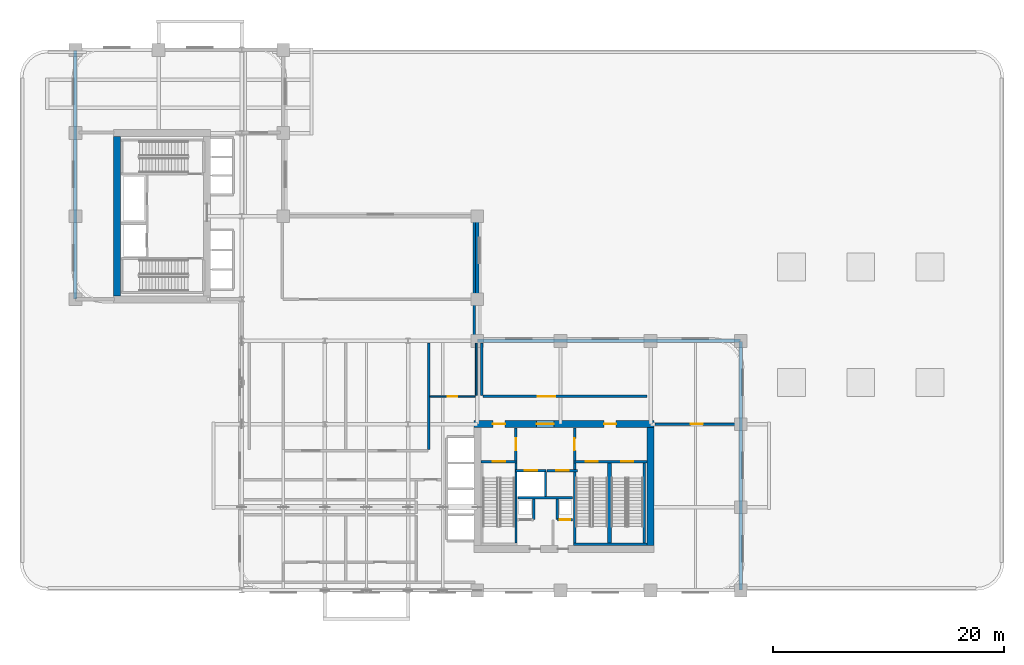
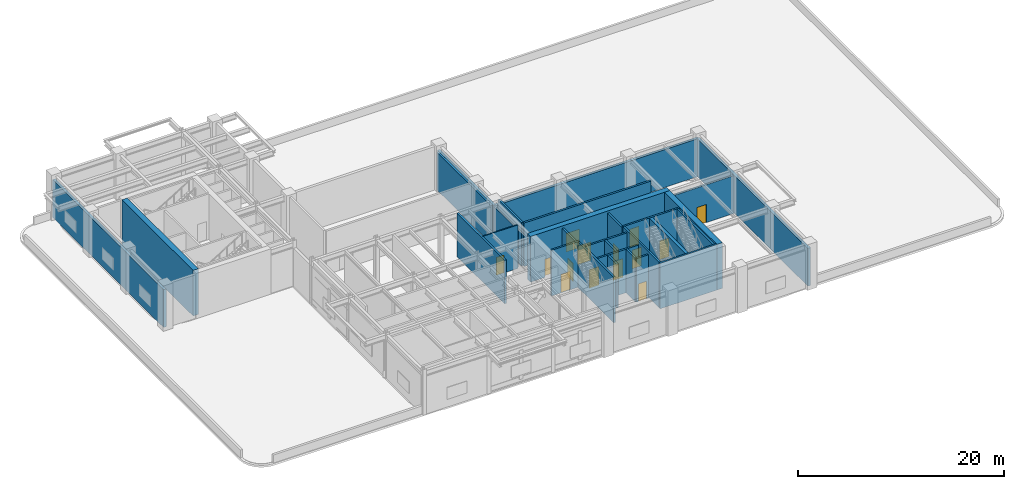
# One storey, part 7 of 14: 30 walls, 14 doors, 14 openings.
"""IFC4 building model written with IfcOpenShell, lengths in metres."""

from ifc_helpers import new_model, si_unit, derived_unit, direction, frame, frame_2d, origin, place, context, subcontext, project, spatial, rectangle, extrude, source, transform, mapped, material, layer, layer_set, type_object, type_shapes, element, fill, save


model = new_model("IFC4")

# Units and contexts
model_context = context("Model", 3, precision=1e-05, world=origin(), true_north=direction((0.0, 1.0)))
body_context = subcontext(model_context, "Body", "Model", "MODEL_VIEW")
ifc_project = project(units=[si_unit("LENGTHUNIT", "METRE"), si_unit("AREAUNIT", "SQUARE_METRE"), si_unit("VOLUMEUNIT", "CUBIC_METRE"), si_unit("PLANEANGLEUNIT", "RADIAN"), si_unit("MASSUNIT", "GRAM", prefix="KILO"), si_unit("THERMODYNAMICTEMPERATUREUNIT", "KELVIN"), si_unit("POWERUNIT", "WATT"), derived_unit("THERMALTRANSMITTANCEUNIT", [(si_unit("POWERUNIT", "WATT"), 1), (si_unit("AREAUNIT", "SQUARE_METRE"), -1), (si_unit("THERMODYNAMICTEMPERATUREUNIT", "KELVIN"), -1)])], contexts=[model_context])

# Site, building, storey
site_placement = place(None, origin())
site = spatial("IfcSite", under=ifc_project, at=site_placement, CompositionType="ELEMENT")
building_placement = place(site_placement, origin())
building = spatial("IfcBuilding", under=site, at=building_placement, Name="Zahravan Archway Hotel and Residences", CompositionType="ELEMENT")
storey_placement = place(building_placement, frame((0.0, 0.0, 27.0)))
storey = spatial("IfcBuildingStorey", under=building, at=storey_placement, Name="L05", CompositionType="ELEMENT", Elevation=27.0)

# Wall, openings, doors
ifc_material_1 = material(Name="Concrete C70/85", Category="concrete")
ifc_layer_1 = layer(ifc_material_1, 0.60009765625, Name="Concrete C70/85", Category="concrete")
ifc_layer_set_1 = layer_set([ifc_layer_1], Name="Concrete C70/85")
wall_type_1 = type_object("IfcWallType", Name="CW-CORE-600", PredefinedType="SHEAR", material=ifc_layer_set_1)
wall_1_placement = place(storey_placement, frame((34.5, 14.39990234375, 0.0), z_axis=(0.0, 0.0, 1.0), x_axis=(1.0, 0.0, 0.0)))
wall_1 = element("IfcWall", 1, at=wall_1_placement, inside=storey, type_object=wall_type_1, Name="L05 Core A Shear N Wall 600 mm", PredefinedType="SHEAR", context=body_context, shape_type="SweptSolid", body=[
    extrude(rectangle(XDim=15.60009765625, YDim=0.60009765625, at=frame_2d((7.800048828125, 0.0))), origin(), (0.0, 0.0, 1.0), 5.39990234375),
])
opening_1_placement = place(wall_1_placement, frame((5.429931640625, 0.0, 0.0)))
opening_1 = element("IfcOpeningElement", 2, at=opening_1_placement, cuts=wall_1, Name="Opening FD-L1", PredefinedType="OPENING", context=body_context, shape_type="SweptSolid", body=[
    extrude(rectangle(XDim=1.5, YDim=2.199951171875, at=frame_2d((0.75, 1.10009765625))), frame((0.0, 0.31005859375, 0.0), z_axis=(0.0, -1.0, 0.0), x_axis=(1.0, 0.0, 0.0)), (0.0, 0.0, 1.0), 0.6201171875),
])
opening_2_placement = place(wall_1_placement, frame((1.64501953125, 0.0, 0.0)))
opening_2 = element("IfcOpeningElement", 3, at=opening_2_placement, cuts=wall_1, Name="Opening FD-L2", PredefinedType="OPENING", context=body_context, shape_type="SweptSolid", body=[
    extrude(rectangle(XDim=1.050048828125, YDim=2.14990234375, at=frame_2d((0.52490234375, 1.074951171875))), frame((0.0, 0.31005859375, 0.0), z_axis=(0.0, -1.0, 0.0), x_axis=(1.0, 0.0, 0.0)), (0.0, 0.0, 1.0), 0.6201171875),
])
opening_3_placement = place(wall_1_placement, frame((11.27490234375, 0.0, 0.0)))
opening_3 = element("IfcOpeningElement", 4, at=opening_3_placement, cuts=wall_1, Name="Opening FD-L2", PredefinedType="OPENING", context=body_context, shape_type="SweptSolid", body=[
    extrude(rectangle(XDim=1.050048828125, YDim=2.14990234375, at=frame_2d((0.52490234375, 1.074951171875))), frame((0.0, 0.31005859375, 0.0), z_axis=(0.0, -1.0, 0.0), x_axis=(1.0, 0.0, 0.0)), (0.0, 0.0, 1.0), 0.6201171875),
])
ifc_material_2 = material(Name="Fire-Rated Painted Steel", Category="steel")
door_type_1 = type_object("IfcDoorType", Name="FD-LOBBY-1100", OperationType="NOTDEFINED", PredefinedType="DOOR", material=ifc_material_2)
shared_shape_1 = source(origin(), body_context, "Body", "SweptSolid", [
    extrude(rectangle(XDim=1.050048828125, YDim=2.14990234375, at=frame_2d((0.52490234375, 1.074951171875))), frame((0.0, 0.02490234375, 0.0), z_axis=(0.0, -1.0, 0.0), x_axis=(1.0, 0.0, 0.0)), (0.0, 0.0, 1.0), 0.050048828125),
])
type_shapes(door_type_1, [shared_shape_1])
door_1_placement = place(opening_2_placement, origin())
door_1 = element("IfcDoor", 5, at=door_1_placement, inside=storey, type_object=door_type_1, Name="L05 Core A West Stair Lobby Door", OperationType="SINGLE_SWING_RIGHT", OverallHeight=2.14990234375, OverallWidth=1.050048828125, PredefinedType="DOOR", context=body_context, shape_type="MappedRepresentation", body=[
    mapped(shared_shape_1, transform((0.0, 0.0, 0.0), scale=1.0)),
])
fill(opening_2, door_1)
door_2_placement = place(opening_3_placement, origin())
door_2 = element("IfcDoor", 6, at=door_2_placement, inside=storey, type_object=door_type_1, Name="L05 Core A East Stair Lobby Door", OperationType="SINGLE_SWING_LEFT", OverallHeight=2.14990234375, OverallWidth=1.050048828125, PredefinedType="DOOR", context=body_context, shape_type="MappedRepresentation", body=[
    mapped(shared_shape_1, transform((0.0, 0.0, 0.0), scale=1.0)),
])
fill(opening_3, door_2)
door_type_2 = type_object("IfcDoorType", Name="FD-LOBBY-1500", OperationType="DOUBLE_DOOR_SINGLE_SWING", PredefinedType="DOOR", material=ifc_material_2)
shared_shape_2 = source(origin(), body_context, "Body", "SweptSolid", [
    extrude(rectangle(XDim=1.5, YDim=2.199951171875, at=frame_2d((0.75, 1.10009765625))), frame((0.0, 0.02490234375, 0.0), z_axis=(0.0, -1.0, 0.0), x_axis=(1.0, 0.0, 0.0)), (0.0, 0.0, 1.0), 0.050048828125),
])
type_shapes(door_type_2, [shared_shape_2])
door_3_placement = place(opening_1_placement, origin())
door_3 = element("IfcDoor", 7, at=door_3_placement, inside=storey, type_object=door_type_2, Name="L05 Core A FSAE Lobby Main Door", OperationType="DOUBLE_DOOR_SINGLE_SWING", OverallHeight=2.199951171875, OverallWidth=1.5, PredefinedType="DOOR", context=body_context, shape_type="MappedRepresentation", body=[
    mapped(shared_shape_2, transform((0.0, 0.0, 0.0), scale=1.0)),
])
fill(opening_1, door_3)

# Walls
wall_2_placement = place(storey_placement, frame((49.800048828125, 3.89990234375, 0.0), z_axis=(0.0, 0.0, 1.0), x_axis=(0.0, 1.0, 0.0)))
element("IfcWall", 8, at=wall_2_placement, inside=storey, type_object=wall_type_1, Name="L05 Core A Shear E Wall 600 mm", PredefinedType="SHEAR", context=body_context, shape_type="SweptSolid", body=[
    extrude(rectangle(XDim=10.2001953125, YDim=0.60009765625, at=frame_2d((5.10009765625, 0.0))), origin(), (0.0, 0.0, 1.0), 5.39990234375),
])
wall_3_placement = place(storey_placement, frame((3.60009765625, 25.5, 0.0), z_axis=(0.0, 0.0, 1.0), x_axis=(0.0, 1.0, 0.0)))
element("IfcWall", 9, at=wall_3_placement, inside=storey, type_object=wall_type_1, Name="L05 Core B Shear W Wall 600 mm", PredefinedType="SHEAR", context=body_context, shape_type="SweptSolid", body=[
    extrude(rectangle(XDim=13.800048828125, YDim=0.60009765625, at=frame_2d((6.89990234375, 0.0))), origin(), (0.0, 0.0, 1.0), 5.39990234375),
])
ifc_material_3 = material(Name="Acoustic Louvred Sandstone Backup Wall", Category="masonry")
ifc_layer_2 = layer(ifc_material_3, 0.300048828125, Name="Acoustic Louvred Sandstone Backup Wall", Category="masonry")
ifc_layer_set_2 = layer_set([ifc_layer_2], Name="Acoustic Louvred Sandstone Backup Wall")
wall_type_2 = type_object("IfcWallType", Name="EW-REF-300", PredefinedType="SOLIDWALL", material=ifc_layer_set_2)
wall_4_placement = place(storey_placement, frame((57.60009765625, 0.050048828125, 0.0), z_axis=(0.0, 0.0, 1.0), x_axis=(0.0, 1.0, 0.0)))
element("IfcWall", 10, at=wall_4_placement, inside=storey, type_object=wall_type_2, Name="L05 Exterior Sandstone Wall WA-E", PredefinedType="SOLIDWALL", context=body_context, shape_type="SweptSolid", body=[
    extrude(rectangle(XDim=21.5, YDim=0.300048828125, at=frame_2d((10.75, 0.0))), origin(), (0.0, 0.0, 1.0), 4.485107421875),
])
wall_5_placement = place(storey_placement, frame((34.800048828125, 21.60009765625, 0.0), z_axis=(0.0, 0.0, 1.0), x_axis=(1.0, 0.0, 0.0)))
element("IfcWall", 11, at=wall_5_placement, inside=storey, type_object=wall_type_2, Name="L05 Exterior Sandstone Wall WA-NE", PredefinedType="SOLIDWALL", context=body_context, shape_type="SweptSolid", body=[
    extrude(rectangle(XDim=22.800048828125, YDim=0.300048828125, at=frame_2d((11.39990234375, 0.0))), origin(), (0.0, 0.0, 1.0), 4.485107421875),
])
wall_6_placement = place(storey_placement, frame((0.0, 25.25, 0.0), z_axis=(0.0, 0.0, 1.0), x_axis=(0.0, 1.0, 0.0)))
element("IfcWall", 12, at=wall_6_placement, inside=storey, type_object=wall_type_2, Name="L05 Exterior Sandstone Wall WB-W", PredefinedType="SOLIDWALL", context=body_context, shape_type="SweptSolid", body=[
    extrude(rectangle(XDim=21.5, YDim=0.300048828125, at=frame_2d((10.75, 0.0))), origin(), (0.0, 0.0, 1.0), 4.485107421875),
])
wall_7_placement = place(storey_placement, frame((34.800048828125, 21.64990234375, 0.0), z_axis=(0.0, 0.0, 1.0), x_axis=(0.0, 1.0, 0.0)))
element("IfcWall", 13, at=wall_7_placement, inside=storey, type_object=wall_type_2, Name="L05 Exterior Sandstone Wall HNG-E", PredefinedType="SOLIDWALL", context=body_context, shape_type="SweptSolid", body=[
    extrude(rectangle(XDim=10.75, YDim=0.300048828125, at=frame_2d((5.375, 0.0))), origin(), (0.0, 0.0, 1.0), 4.485107421875),
])

# Wall, opening, door
ifc_material_4 = material(Name="Fire-Rated Gypsum & Concrete Block", Category="concrete")
ifc_layer_3 = layer(ifc_material_4, 0.219970703125, Name="Fire-Rated Gypsum & Concrete Block", Category="concrete")
ifc_layer_set_3 = layer_set([ifc_layer_3], Name="Fire-Rated Gypsum & Concrete Block")
wall_type_3 = type_object("IfcWallType", Name="PW-COMP-220", PredefinedType="PARTITIONING", material=ifc_layer_set_3)
wall_8_placement = place(storey_placement, frame((38.139892578125, 11.219970703125, 0.0), z_axis=(0.0, 0.0, 1.0), x_axis=(0.0, 1.0, 0.0)))
wall_8 = element("IfcWall", 14, at=wall_8_placement, inside=storey, type_object=wall_type_3, Name="L05 Partition CA-LOBW", PredefinedType="PARTITIONING", context=body_context, shape_type="SweptSolid", body=[
    extrude(rectangle(XDim=2.860107421875, YDim=0.219970703125, at=frame_2d((1.43017578125, 0.0))), origin(), (0.0, 0.0, 1.0), 5.14990234375),
])
opening_4_placement = place(wall_8_placement, frame((0.905029296875, 0.0, 0.0)))
opening_4 = element("IfcOpeningElement", 15, at=opening_4_placement, cuts=wall_8, Name="Opening FD-L2", PredefinedType="OPENING", context=body_context, shape_type="SweptSolid", body=[
    extrude(rectangle(XDim=1.050048828125, YDim=2.14990234375, at=frame_2d((0.52490234375, 1.074951171875))), frame((0.0, 0.1201171875, 0.0), z_axis=(0.0, -1.0, 0.0), x_axis=(1.0, 0.0, 0.0)), (0.0, 0.0, 1.0), 0.239990234375),
])
door_4_placement = place(opening_4_placement, origin())
door_4 = element("IfcDoor", 16, at=door_4_placement, inside=storey, type_object=door_type_1, Name="L05 Core A West Stair to FSAE Lobby Door", OperationType="SINGLE_SWING_RIGHT", OverallHeight=2.14990234375, OverallWidth=1.050048828125, PredefinedType="DOOR", context=body_context, shape_type="MappedRepresentation", body=[
    mapped(shared_shape_1, transform((0.0, 0.0, 0.0), scale=1.0)),
])
fill(opening_4, door_4)

wall_9_placement = place(storey_placement, frame((43.219970703125, 11.219970703125, 0.0), z_axis=(0.0, 0.0, 1.0), x_axis=(0.0, 1.0, 0.0)))
wall_9 = element("IfcWall", 17, at=wall_9_placement, inside=storey, type_object=wall_type_3, Name="L05 Partition CA-LOBE", PredefinedType="PARTITIONING", context=body_context, shape_type="SweptSolid", body=[
    extrude(rectangle(XDim=2.860107421875, YDim=0.219970703125, at=frame_2d((1.43017578125, 0.0))), origin(), (0.0, 0.0, 1.0), 5.14990234375),
])
opening_5_placement = place(wall_9_placement, frame((0.905029296875, 0.0, 0.0)))
opening_5 = element("IfcOpeningElement", 18, at=opening_5_placement, cuts=wall_9, Name="Opening FD-L2", PredefinedType="OPENING", context=body_context, shape_type="SweptSolid", body=[
    extrude(rectangle(XDim=1.050048828125, YDim=2.14990234375, at=frame_2d((0.52490234375, 1.074951171875))), frame((0.0, 0.1201171875, 0.0), z_axis=(0.0, -1.0, 0.0), x_axis=(1.0, 0.0, 0.0)), (0.0, 0.0, 1.0), 0.239990234375),
])
door_5_placement = place(opening_5_placement, origin())
door_5 = element("IfcDoor", 19, at=door_5_placement, inside=storey, type_object=door_type_1, Name="L05 Core A East Stair to FSAE Lobby Door", OperationType="SINGLE_SWING_LEFT", OverallHeight=2.14990234375, OverallWidth=1.050048828125, PredefinedType="DOOR", context=body_context, shape_type="MappedRepresentation", body=[
    mapped(shared_shape_1, transform((0.0, 0.0, 0.0), scale=1.0)),
])
fill(opening_5, door_5)

# Wall
wall_10_placement = place(storey_placement, frame((30.60009765625, 12.18994140625, 0.0), z_axis=(0.0, 0.0, 1.0), x_axis=(0.0, 1.0, 0.0)))
element("IfcWall", 20, at=wall_10_placement, inside=storey, type_object=wall_type_3, Name="L05 Partition L05-RWE", PredefinedType="PARTITIONING", context=body_context, shape_type="SweptSolid", body=[
    extrude(rectangle(XDim=9.219970703125, YDim=0.219970703125, at=frame_2d((4.60986328125, 0.0))), origin(), (0.0, 0.0, 1.0), 5.14990234375),
])

# Wall, opening, door
wall_11_placement = place(storey_placement, frame((50.18994140625, 14.39990234375, 0.0), z_axis=(0.0, 0.0, 1.0), x_axis=(1.0, 0.0, 0.0)))
wall_11 = element("IfcWall", 21, at=wall_11_placement, inside=storey, type_object=wall_type_3, Name="L05 Partition L05-REA", PredefinedType="PARTITIONING", context=body_context, shape_type="SweptSolid", body=[
    extrude(rectangle(XDim=7.219970703125, YDim=0.219970703125, at=frame_2d((3.60986328125, 0.0))), origin(), (0.0, 0.0, 1.0), 4.485107421875),
])
opening_6_placement = place(wall_11_placement, frame((3.0849609375, 0.0, 0.0)))
opening_6 = element("IfcOpeningElement", 22, at=opening_6_placement, cuts=wall_11, Name="Opening FD-L2", PredefinedType="OPENING", context=body_context, shape_type="SweptSolid", body=[
    extrude(rectangle(XDim=1.050048828125, YDim=2.14990234375, at=frame_2d((0.52490234375, 1.074951171875))), frame((0.0, 0.1201171875, 0.0), z_axis=(0.0, -1.0, 0.0), x_axis=(1.0, 0.0, 0.0)), (0.0, 0.0, 1.0), 0.239990234375),
])
door_6_placement = place(opening_6_placement, origin())
door_6 = element("IfcDoor", 23, at=door_6_placement, inside=storey, type_object=door_type_1, Name="L05 East Smoke Extract Plant Door", OperationType="SINGLE_SWING_LEFT", OverallHeight=2.14990234375, OverallWidth=1.050048828125, PredefinedType="DOOR", context=body_context, shape_type="MappedRepresentation", body=[
    mapped(shared_shape_1, transform((0.0, 0.0, 0.0), scale=1.0)),
])
fill(opening_6, door_6)

wall_12_placement = place(storey_placement, frame((35.2900390625, 16.800048828125, 0.0), z_axis=(0.0, 0.0, 1.0), x_axis=(1.0, 0.0, 0.0)))
wall_12 = element("IfcWall", 24, at=wall_12_placement, inside=storey, type_object=wall_type_3, Name="L05 Partition L05-RNES", PredefinedType="PARTITIONING", context=body_context, shape_type="SweptSolid", body=[
    extrude(rectangle(XDim=14.219970703125, YDim=0.219970703125, at=frame_2d((7.10986328125, 0.0))), origin(), (0.0, 0.0, 1.0), 5.14990234375),
])
opening_7_placement = place(wall_12_placement, frame((4.760009765625, 0.0, 0.0)))
opening_7 = element("IfcOpeningElement", 25, at=opening_7_placement, cuts=wall_12, Name="Opening FD-L1", PredefinedType="OPENING", context=body_context, shape_type="SweptSolid", body=[
    extrude(rectangle(XDim=1.5, YDim=2.199951171875, at=frame_2d((0.75, 1.10009765625))), frame((0.0, 0.1201171875, 0.0), z_axis=(0.0, -1.0, 0.0), x_axis=(1.0, 0.0, 0.0)), (0.0, 0.0, 1.0), 0.239990234375),
])
door_7_placement = place(opening_7_placement, origin())
door_7 = element("IfcDoor", 26, at=door_7_placement, inside=storey, type_object=door_type_2, Name="L05 North-East Protected Refuge Door", OperationType="DOUBLE_DOOR_SINGLE_SWING", OverallHeight=2.199951171875, OverallWidth=1.5, PredefinedType="DOOR", context=body_context, shape_type="MappedRepresentation", body=[
    mapped(shared_shape_2, transform((0.0, 0.0, 0.0), scale=1.0)),
])
fill(opening_7, door_7)

# Walls
wall_13_placement = place(storey_placement, frame((35.199951171875, 16.889892578125, 0.0), z_axis=(0.0, 0.0, 1.0), x_axis=(0.0, 1.0, 0.0)))
element("IfcWall", 27, at=wall_13_placement, inside=storey, type_object=wall_type_3, Name="L05 Partition L05-RNEW", PredefinedType="PARTITIONING", context=body_context, shape_type="SweptSolid", body=[
    extrude(rectangle(XDim=4.52001953125, YDim=0.219970703125, at=frame_2d((2.260009765625, 0.0))), origin(), (0.0, 0.0, 1.0), 5.14990234375),
])
wall_14_placement = place(storey_placement, frame((34.550048828125, 21.68994140625, 0.0), z_axis=(0.0, 0.0, 1.0), x_axis=(0.0, 1.0, 0.0)))
element("IfcWall", 28, at=wall_14_placement, inside=storey, type_object=wall_type_3, Name="L05 Partition L05-RWBE", PredefinedType="PARTITIONING", context=body_context, shape_type="SweptSolid", body=[
    extrude(rectangle(XDim=10.469970703125, YDim=0.219970703125, at=frame_2d((5.23486328125, 0.0))), origin(), (0.0, 0.0, 1.0), 4.485107421875),
])
ifc_layer_4 = layer(ifc_material_4, 0.199951171875, Name="Fire-Rated Gypsum & Concrete Block", Category="concrete")
ifc_layer_set_4 = layer_set([ifc_layer_4], Name="Fire-Rated Gypsum & Concrete Block")
wall_type_4 = type_object("IfcWallType", Name="PW-SHAFT-200", PredefinedType="PARTITIONING", material=ifc_layer_set_4)
wall_15_placement = place(storey_placement, frame((38.300048828125, 8.030029296875, 0.0), z_axis=(0.0, 0.0, 1.0), x_axis=(1.0, 0.0, 0.0)))
element("IfcWall", 29, at=wall_15_placement, inside=storey, type_object=wall_type_4, Name="L05 Partition CA-FLS", PredefinedType="PARTITIONING", context=body_context, shape_type="SweptSolid", body=[
    extrude(rectangle(XDim=4.739990234375, YDim=0.199951171875, at=frame_2d((2.3701171875, 0.0))), origin(), (0.0, 0.0, 1.0), 5.14990234375),
])
wall_16_placement = place(storey_placement, frame((40.699951171875, 8.1201171875, 0.0), z_axis=(0.0, 0.0, 1.0), x_axis=(0.0, 1.0, 0.0)))
element("IfcWall", 30, at=wall_16_placement, inside=storey, type_object=wall_type_4, Name="L05 Partition CA-FLM", PredefinedType="PARTITIONING", context=body_context, shape_type="SweptSolid", body=[
    extrude(rectangle(XDim=2.179931640625, YDim=0.199951171875, at=frame_2d((1.08984375, 0.0))), origin(), (0.0, 0.0, 1.0), 5.14990234375),
])
wall_17_placement = place(storey_placement, frame((39.679931640625, 6.1298828125, 0.0), z_axis=(0.0, 0.0, 1.0), x_axis=(0.0, 1.0, 0.0)))
element("IfcWall", 31, at=wall_17_placement, inside=storey, type_object=wall_type_4, Name="L05 Partition CA-SMKE", PredefinedType="PARTITIONING", context=body_context, shape_type="SweptSolid", body=[
    extrude(rectangle(XDim=1.7900390625, YDim=0.199951171875, at=frame_2d((0.89501953125, 0.0))), origin(), (0.0, 0.0, 1.0), 5.14990234375),
])

# Wall, opening, door
wall_18_placement = place(storey_placement, frame((41.72998046875, 6.1201171875, 0.0), z_axis=(0.0, 0.0, 1.0), x_axis=(1.0, 0.0, 0.0)))
wall_18 = element("IfcWall", 32, at=wall_18_placement, inside=storey, type_object=wall_type_4, Name="L05 Partition CA-MEPS", PredefinedType="PARTITIONING", context=body_context, shape_type="SweptSolid", body=[
    extrude(rectangle(XDim=1.320068359375, YDim=0.199951171875, at=frame_2d((0.66015625, 0.0))), origin(), (0.0, 0.0, 1.0), 5.14990234375),
])
opening_8_placement = place(wall_18_placement, frame((0.219970703125, 0.0, 0.0)))
opening_8 = element("IfcOpeningElement", 33, at=opening_8_placement, cuts=wall_18, Name="Opening FD-R1", PredefinedType="OPENING", context=body_context, shape_type="SweptSolid", body=[
    extrude(rectangle(XDim=0.89990234375, YDim=2.10009765625, at=frame_2d((0.449951171875, 1.050048828125))), frame((0.0, 0.10986328125, 0.0), z_axis=(0.0, -1.0, 0.0), x_axis=(1.0, 0.0, 0.0)), (0.0, 0.0, 1.0), 0.219970703125),
])
door_type_3 = type_object("IfcDoorType", Name="FD-RISER-900", OperationType="NOTDEFINED", PredefinedType="DOOR", material=ifc_material_2)
shared_shape_3 = source(origin(), body_context, "Body", "SweptSolid", [
    extrude(rectangle(XDim=0.89990234375, YDim=2.10009765625, at=frame_2d((0.449951171875, 1.050048828125))), frame((0.0, 0.02490234375, 0.0), z_axis=(0.0, -1.0, 0.0), x_axis=(1.0, 0.0, 0.0)), (0.0, 0.0, 1.0), 0.050048828125),
])
type_shapes(door_type_3, [shared_shape_3])
door_8_placement = place(opening_8_placement, origin())
door_8 = element("IfcDoor", 34, at=door_8_placement, inside=storey, type_object=door_type_3, Name="L05 MEP Riser Access Door", OperationType="SINGLE_SWING_LEFT", OverallHeight=2.10009765625, OverallWidth=0.89990234375, PredefinedType="DOOR", context=body_context, shape_type="MappedRepresentation", body=[
    mapped(shared_shape_3, transform((0.0, 0.0, 0.0), scale=1.0)),
])
fill(opening_8, door_8)

# Wall
wall_19_placement = place(storey_placement, frame((41.719970703125, 6.1298828125, 0.0), z_axis=(0.0, 0.0, 1.0), x_axis=(0.0, 1.0, 0.0)))
element("IfcWall", 35, at=wall_19_placement, inside=storey, type_object=wall_type_4, Name="L05 Partition CA-MEPW", PredefinedType="PARTITIONING", context=body_context, shape_type="SweptSolid", body=[
    extrude(rectangle(XDim=1.7900390625, YDim=0.199951171875, at=frame_2d((0.89501953125, 0.0))), origin(), (0.0, 0.0, 1.0), 5.14990234375),
])

# Wall, opening, door
wall_20_placement = place(storey_placement, frame((38.1201171875, 10.3701171875, 0.0), z_axis=(0.0, 0.0, 1.0), x_axis=(1.0, 0.0, 0.0)))
wall_20 = element("IfcWall", 36, at=wall_20_placement, inside=storey, type_object=wall_type_4, Name="L05 Lift FL-1 Front Wall", PredefinedType="PARTITIONING", context=body_context, shape_type="SweptSolid", body=[
    extrude(rectangle(XDim=2.639892578125, YDim=0.199951171875, at=frame_2d((1.31982421875, 0.0))), origin(), (0.0, 0.0, 1.0), 5.14990234375),
])
opening_9_placement = place(wall_20_placement, frame((0.77001953125, 0.0, 0.0)))
opening_9 = element("IfcOpeningElement", 37, at=opening_9_placement, cuts=wall_20, Name="Opening LD", PredefinedType="OPENING", context=body_context, shape_type="SweptSolid", body=[
    extrude(rectangle(XDim=1.10009765625, YDim=2.199951171875, at=frame_2d((0.550048828125, 1.10009765625))), frame((0.0, 0.10986328125, 0.0), z_axis=(0.0, -1.0, 0.0), x_axis=(1.0, 0.0, 0.0)), (0.0, 0.0, 1.0), 0.219970703125),
])
ifc_material_5 = material(Name="Brushed Stainless Steel", Category="steel")
door_type_4 = type_object("IfcDoorType", Name="DR-LIFT-LD", OperationType="SLIDING_TO_LEFT", PredefinedType="DOOR", material=ifc_material_5)
shared_shape_4 = source(origin(), body_context, "Body", "SweptSolid", [
    extrude(rectangle(XDim=1.10009765625, YDim=2.199951171875, at=frame_2d((0.550048828125, 1.10009765625))), frame((0.0, 0.02490234375, 0.0), z_axis=(0.0, -1.0, 0.0), x_axis=(1.0, 0.0, 0.0)), (0.0, 0.0, 1.0), 0.050048828125),
])
type_shapes(door_type_4, [shared_shape_4])
door_9_placement = place(opening_9_placement, origin())
door_9 = element("IfcDoor", 38, at=door_9_placement, inside=storey, type_object=door_type_4, Name="L05 Lift FL-1 Sliding Landing Door", OperationType="SLIDING_TO_LEFT", OverallHeight=2.199951171875, OverallWidth=1.10009765625, PredefinedType="DOOR", context=body_context, shape_type="MappedRepresentation", body=[
    mapped(shared_shape_4, transform((0.0, 0.0, 0.0), scale=1.0)),
])
fill(opening_9, door_9)

wall_21_placement = place(storey_placement, frame((40.840087890625, 10.3701171875, 0.0), z_axis=(0.0, 0.0, 1.0), x_axis=(1.0, 0.0, 0.0)))
wall_21 = element("IfcWall", 39, at=wall_21_placement, inside=storey, type_object=wall_type_4, Name="L05 Lift FL-2 Front Wall", PredefinedType="PARTITIONING", context=body_context, shape_type="SweptSolid", body=[
    extrude(rectangle(XDim=2.639892578125, YDim=0.199951171875, at=frame_2d((1.31982421875, 0.0))), origin(), (0.0, 0.0, 1.0), 5.14990234375),
])
opening_10_placement = place(wall_21_placement, frame((0.77001953125, 0.0, 0.0)))
opening_10 = element("IfcOpeningElement", 40, at=opening_10_placement, cuts=wall_21, Name="Opening LD", PredefinedType="OPENING", context=body_context, shape_type="SweptSolid", body=[
    extrude(rectangle(XDim=1.10009765625, YDim=2.199951171875, at=frame_2d((0.550048828125, 1.10009765625))), frame((0.0, 0.10986328125, 0.0), z_axis=(0.0, -1.0, 0.0), x_axis=(1.0, 0.0, 0.0)), (0.0, 0.0, 1.0), 0.219970703125),
])
door_10_placement = place(opening_10_placement, origin())
door_10 = element("IfcDoor", 41, at=door_10_placement, inside=storey, type_object=door_type_4, Name="L05 Lift FL-2 Sliding Landing Door", OperationType="SLIDING_TO_LEFT", OverallHeight=2.199951171875, OverallWidth=1.10009765625, PredefinedType="DOOR", context=body_context, shape_type="MappedRepresentation", body=[
    mapped(shared_shape_4, transform((0.0, 0.0, 0.0), scale=1.0)),
])
fill(opening_10, door_10)

ifc_material_6 = material(Name="Moisture-Resistant Blockwork", Category="masonry")
ifc_layer_5 = layer(ifc_material_6, 0.139892578125, Name="Moisture-Resistant Blockwork", Category="masonry")
ifc_layer_set_5 = layer_set([ifc_layer_5], Name="Moisture-Resistant Blockwork")
wall_type_5 = type_object("IfcWallType", Name="PW-WET-140", PredefinedType="PARTITIONING", material=ifc_layer_set_5)
wall_22_placement = place(storey_placement, frame((30.68994140625, 16.800048828125, 0.0), z_axis=(0.0, 0.0, 1.0), x_axis=(1.0, 0.0, 0.0)))
wall_22 = element("IfcWall", 42, at=wall_22_placement, inside=storey, type_object=wall_type_5, Name="L05 Partition L05-RWCS", PredefinedType="PARTITIONING", context=body_context, shape_type="SweptSolid", body=[
    extrude(rectangle(XDim=3.920166015625, YDim=0.139892578125, at=frame_2d((1.9599609375, 0.0))), origin(), (0.0, 0.0, 1.0), 5.14990234375),
])
opening_11_placement = place(wall_22_placement, frame((1.534912109375, 0.0, 0.0)))
opening_11 = element("IfcOpeningElement", 43, at=opening_11_placement, cuts=wall_22, Name="Opening D-B1", PredefinedType="OPENING", context=body_context, shape_type="SweptSolid", body=[
    extrude(rectangle(XDim=0.85009765625, YDim=2.10009765625, at=frame_2d((0.425048828125, 1.050048828125))), frame((0.0, 0.080078125, 0.0), z_axis=(0.0, -1.0, 0.0), x_axis=(1.0, 0.0, 0.0)), (0.0, 0.0, 1.0), 0.159912109375),
])
ifc_material_7 = material(Name="Hardwood Veneer Timber", Category="wood")
door_type_5 = type_object("IfcDoorType", Name="ID-BATH-850", OperationType="NOTDEFINED", PredefinedType="DOOR", material=ifc_material_7)
shared_shape_5 = source(origin(), body_context, "Body", "SweptSolid", [
    extrude(rectangle(XDim=0.85009765625, YDim=2.10009765625, at=frame_2d((0.425048828125, 1.050048828125))), frame((0.0, 0.02490234375, 0.0), z_axis=(0.0, -1.0, 0.0), x_axis=(1.0, 0.0, 0.0)), (0.0, 0.0, 1.0), 0.050048828125),
])
type_shapes(door_type_5, [shared_shape_5])
door_11_placement = place(opening_11_placement, origin())
door_11 = element("IfcDoor", 44, at=door_11_placement, inside=storey, type_object=door_type_5, Name="L05 Refuge Accessible WC Door", OperationType="SINGLE_SWING_RIGHT", OverallHeight=2.10009765625, OverallWidth=0.85009765625, PredefinedType="DOOR", context=body_context, shape_type="MappedRepresentation", body=[
    mapped(shared_shape_5, transform((0.0, 0.0, 0.0), scale=1.0)),
])
fill(opening_11, door_11)

# Walls
wall_23_placement = place(storey_placement, frame((34.699951171875, 16.889892578125, 0.0), z_axis=(0.0, 0.0, 1.0), x_axis=(0.0, 1.0, 0.0)))
element("IfcWall", 45, at=wall_23_placement, inside=storey, type_object=wall_type_5, Name="L05 Partition L05-RWCE", PredefinedType="PARTITIONING", context=body_context, shape_type="SweptSolid", body=[
    extrude(rectangle(XDim=4.52001953125, YDim=0.139892578125, at=frame_2d((2.260009765625, 0.0))), origin(), (0.0, 0.0, 1.0), 4.485107421875),
])
ifc_material_8 = material(Name="Concrete C50/60", Category="concrete")
ifc_layer_6 = layer(ifc_material_8, 0.199951171875, Name="Concrete C50/60", Category="concrete")
ifc_layer_set_6 = layer_set([ifc_layer_6], Name="Concrete C50/60")
wall_type_6 = type_object("IfcWallType", Name="SW-STAIR-200", PredefinedType="SHEAR", material=ifc_layer_set_6)
wall_24_placement = place(storey_placement, frame((38.139892578125, 4.10009765625, 0.0), z_axis=(0.0, 0.0, 1.0), x_axis=(0.0, 1.0, 0.0)))
element("IfcWall", 46, at=wall_24_placement, inside=storey, type_object=wall_type_6, Name="L05 Stairwell RC Wall CA-SA1E", PredefinedType="SHEAR", context=body_context, shape_type="SweptSolid", body=[
    extrude(rectangle(XDim=6.949951171875, YDim=0.199951171875, at=frame_2d((3.47509765625, 0.0))), origin(), (0.0, 0.0, 1.0), 5.39990234375),
])

# Wall, opening, door
wall_25_placement = place(storey_placement, frame((35.10009765625, 11.14990234375, 0.0), z_axis=(0.0, 0.0, 1.0), x_axis=(1.0, 0.0, 0.0)))
wall_25 = element("IfcWall", 47, at=wall_25_placement, inside=storey, type_object=wall_type_6, Name="L05 Stairwell RC Wall CA-SA1N", PredefinedType="SHEAR", context=body_context, shape_type="SweptSolid", body=[
    extrude(rectangle(XDim=3.139892578125, YDim=0.199951171875, at=frame_2d((1.56982421875, 0.0))), origin(), (0.0, 0.0, 1.0), 5.39990234375),
])
opening_12_placement = place(wall_25_placement, frame((1.044921875, 0.0, 0.0)))
opening_12 = element("IfcOpeningElement", 48, at=opening_12_placement, cuts=wall_25, Name="Opening FD-S1", PredefinedType="OPENING", context=body_context, shape_type="SweptSolid", body=[
    extrude(rectangle(XDim=1.050048828125, YDim=2.199951171875, at=frame_2d((0.52490234375, 1.10009765625))), frame((0.0, 0.10986328125, 0.0), z_axis=(0.0, -1.0, 0.0), x_axis=(1.0, 0.0, 0.0)), (0.0, 0.0, 1.0), 0.219970703125),
])
door_type_6 = type_object("IfcDoorType", Name="FD-STAIR-1100", OperationType="NOTDEFINED", PredefinedType="DOOR", material=ifc_material_2)
shared_shape_6 = source(origin(), body_context, "Body", "SweptSolid", [
    extrude(rectangle(XDim=1.050048828125, YDim=2.199951171875, at=frame_2d((0.52490234375, 1.10009765625))), frame((0.0, 0.02490234375, 0.0), z_axis=(0.0, -1.0, 0.0), x_axis=(1.0, 0.0, 0.0)), (0.0, 0.0, 1.0), 0.050048828125),
])
type_shapes(door_type_6, [shared_shape_6])
door_12_placement = place(opening_12_placement, origin())
door_12 = element("IfcDoor", 49, at=door_12_placement, inside=storey, type_object=door_type_6, Name="L05 Stair ST-A1 Door", OperationType="SINGLE_SWING_LEFT", OverallHeight=2.199951171875, OverallWidth=1.050048828125, PredefinedType="DOOR", context=body_context, shape_type="MappedRepresentation", body=[
    mapped(shared_shape_6, transform((0.0, 0.0, 0.0), scale=1.0)),
])
fill(opening_12, door_12)

# Walls
wall_26_placement = place(storey_placement, frame((43.1201171875, 4.0, 0.0), z_axis=(0.0, 0.0, 1.0), x_axis=(1.0, 0.0, 0.0)))
element("IfcWall", 50, at=wall_26_placement, inside=storey, type_object=wall_type_6, Name="L05 Stairwell RC Wall CA-SA23S", PredefinedType="SHEAR", context=body_context, shape_type="SweptSolid", body=[
    extrude(rectangle(XDim=6.3798828125, YDim=0.199951171875, at=frame_2d((3.18994140625, 0.0))), origin(), (0.0, 0.0, 1.0), 5.39990234375),
])
for number, where, z_axis, x_axis, name in (
    (51, (43.219970703125, 4.10009765625, 0.0), (0.0, 0.0, 1.0), (0.0, 1.0, 0.0), "L05 Stairwell RC Wall CA-SA2W"),
    (52, (49.239990234375, 4.10009765625, 0.0), (0.0, 0.0, 1.0), (0.0, 1.0, 0.0), "L05 Stairwell RC Wall CA-SA3E"),
):
    element("IfcWall", number, at=place(storey_placement, frame(where, z_axis=z_axis, x_axis=x_axis)), inside=storey, type_object=wall_type_6, Name=name, PredefinedType="SHEAR", context=body_context, shape_type="SweptSolid", body=[
        extrude(rectangle(XDim=6.949951171875, YDim=0.199951171875, at=frame_2d((3.47509765625, 0.0))), origin(), (0.0, 0.0, 1.0), 5.39990234375),
    ])

# Wall, openings, doors
wall_27_placement = place(storey_placement, frame((43.1201171875, 11.14990234375, 0.0), z_axis=(0.0, 0.0, 1.0), x_axis=(1.0, 0.0, 0.0)))
wall_27 = element("IfcWall", 53, at=wall_27_placement, inside=storey, type_object=wall_type_6, Name="L05 Stairwell RC Wall CA-SA23N", PredefinedType="SHEAR", context=body_context, shape_type="SweptSolid", body=[
    extrude(rectangle(XDim=6.3798828125, YDim=0.199951171875, at=frame_2d((3.18994140625, 0.0))), origin(), (0.0, 0.0, 1.0), 5.39990234375),
])
opening_13_placement = place(wall_27_placement, frame((1.044921875, 0.0, 0.0)))
opening_13 = element("IfcOpeningElement", 54, at=opening_13_placement, cuts=wall_27, Name="Opening FD-S1", PredefinedType="OPENING", context=body_context, shape_type="SweptSolid", body=[
    extrude(rectangle(XDim=1.050048828125, YDim=2.199951171875, at=frame_2d((0.52490234375, 1.10009765625))), frame((0.0, 0.10986328125, 0.0), z_axis=(0.0, -1.0, 0.0), x_axis=(1.0, 0.0, 0.0)), (0.0, 0.0, 1.0), 0.219970703125),
])
opening_14_placement = place(wall_27_placement, frame((4.125, 0.0, 0.0)))
opening_14 = element("IfcOpeningElement", 55, at=opening_14_placement, cuts=wall_27, Name="Opening FD-S1", PredefinedType="OPENING", context=body_context, shape_type="SweptSolid", body=[
    extrude(rectangle(XDim=1.050048828125, YDim=2.199951171875, at=frame_2d((0.52490234375, 1.10009765625))), frame((0.0, 0.10986328125, 0.0), z_axis=(0.0, -1.0, 0.0), x_axis=(1.0, 0.0, 0.0)), (0.0, 0.0, 1.0), 0.219970703125),
])
door_13_placement = place(opening_13_placement, origin())
door_13 = element("IfcDoor", 56, at=door_13_placement, inside=storey, type_object=door_type_6, Name="L05 Stair ST-A2 Door", OperationType="SINGLE_SWING_RIGHT", OverallHeight=2.199951171875, OverallWidth=1.050048828125, PredefinedType="DOOR", context=body_context, shape_type="MappedRepresentation", body=[
    mapped(shared_shape_6, transform((0.0, 0.0, 0.0), scale=1.0)),
])
fill(opening_13, door_13)
door_14_placement = place(opening_14_placement, origin())
door_14 = element("IfcDoor", 57, at=door_14_placement, inside=storey, type_object=door_type_6, Name="L05 Stair ST-A3 Door", OperationType="SINGLE_SWING_LEFT", OverallHeight=2.199951171875, OverallWidth=1.050048828125, PredefinedType="DOOR", context=body_context, shape_type="MappedRepresentation", body=[
    mapped(shared_shape_6, transform((0.0, 0.0, 0.0), scale=1.0)),
])
fill(opening_14, door_14)

# Wall
ifc_layer_7 = layer(ifc_material_8, 0.340087890625, Name="Concrete C50/60", Category="concrete")
ifc_layer_set_7 = layer_set([ifc_layer_7], Name="Concrete C50/60")
wall_type_7 = type_object("IfcWallType", Name="SW-STAIR-340", PredefinedType="SHEAR", material=ifc_layer_set_7)
wall_28_placement = place(storey_placement, frame((46.22998046875, 4.10009765625, 0.0), z_axis=(0.0, 0.0, 1.0), x_axis=(0.0, 1.0, 0.0)))
element("IfcWall", 58, at=wall_28_placement, inside=storey, type_object=wall_type_7, Name="L05 Stairwell RC Wall CA-SA23M", PredefinedType="SHEAR", context=body_context, shape_type="SweptSolid", body=[
    extrude(rectangle(XDim=6.949951171875, YDim=0.340087890625, at=frame_2d((3.47509765625, 0.0))), origin(), (0.0, 0.0, 1.0), 5.39990234375),
])

save(model, "model.ifc")
